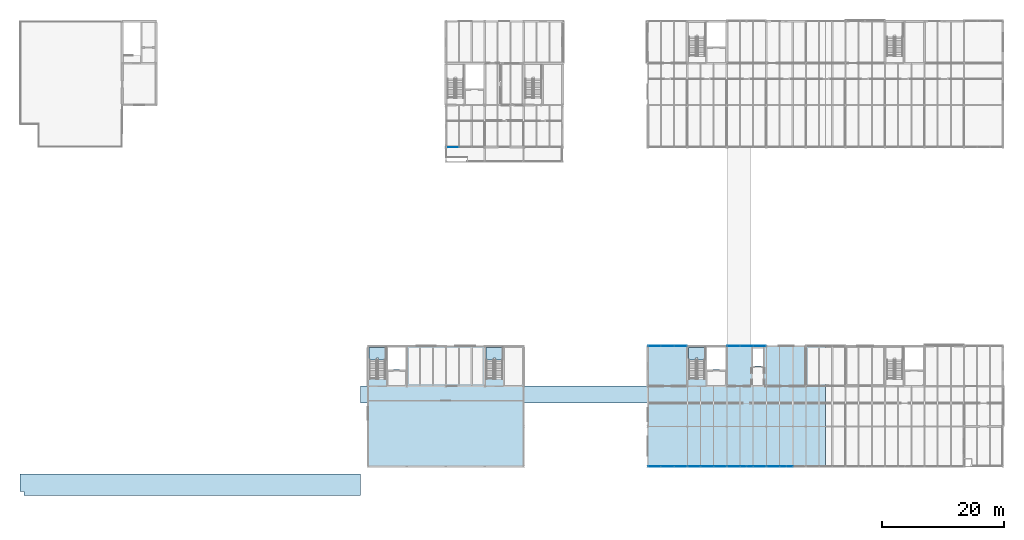
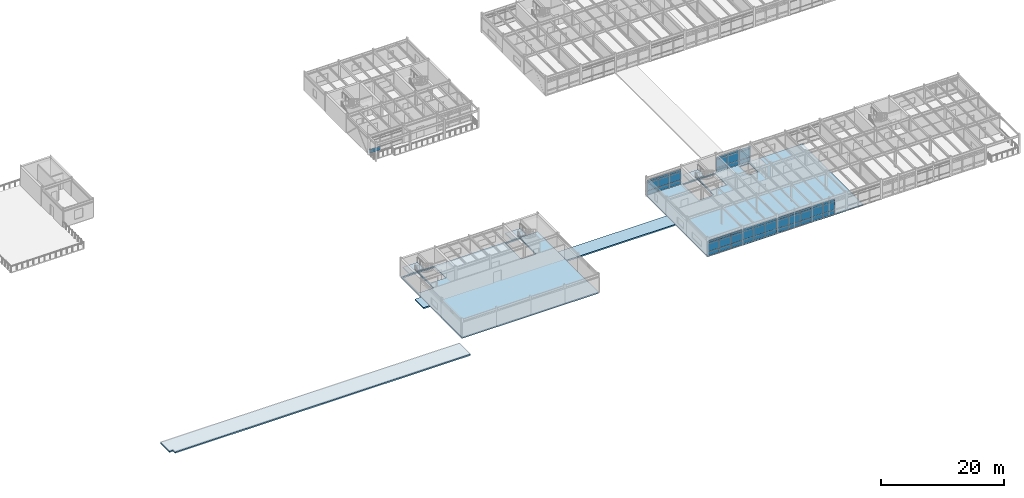
# One storey, part 29 of 49: 52 plates, 8 slabs, 10 elements without a shape of their own.
"""IFC4 building model written with IfcOpenShell, lengths in metres."""

from ifc_helpers import new_model, si_unit, direction, frame, origin, origin_2d, place, context, subcontext, project, spatial, polyline, rectangle, outline, extrude, material, layer, layer_set, type_object, element, aggregate, save


model = new_model("IFC4")

# Units and contexts
model_context = context("Model", 3, precision=1e-05, world=origin(), true_north=direction((0.0, 1.0)))
body_context = subcontext(model_context, "Body", "Model", "MODEL_VIEW")
ifc_project = project(units=[si_unit("LENGTHUNIT", "METRE"), si_unit("AREAUNIT", "SQUARE_METRE"), si_unit("VOLUMEUNIT", "CUBIC_METRE"), si_unit("PLANEANGLEUNIT", "RADIAN"), si_unit("MASSUNIT", "GRAM", prefix="KILO")], contexts=[model_context])

# Site, building, storey
site_placement = place(None, origin())
site = spatial("IfcSite", under=ifc_project, at=site_placement, CompositionType="ELEMENT")
building_placement = place(site_placement, origin())
building = spatial("IfcBuilding", under=site, at=building_placement, Name="Trelmorton Wharf Fire Station", CompositionType="ELEMENT")
storey_placement = place(building_placement, frame((0.0, 0.0, 9.60009765625)))
storey = spatial("IfcBuildingStorey", under=building, at=storey_placement, Name="L02", CompositionType="ELEMENT", Elevation=9.60009765625)

# Curtain wall, plates
ifc_material_1 = material(Name="Anodised aluminium AW-6063", Category="aluminium")
ifc_layer_1 = layer(ifc_material_1, 0.159912109375)
ifc_layer_set_1 = layer_set([ifc_layer_1], Name="Anodised aluminium AW-6063")
curtain_wall_type_1 = type_object("IfcCurtainWallType", Name="CW_CHIC_A", PredefinedType="USERDEFINED", material=ifc_layer_set_1)
curtain_wall_1_placement = place(storey_placement, origin())
curtain_wall_1 = element("IfcCurtainWall", 1, at=curtain_wall_1_placement, inside=storey, type_object=curtain_wall_type_1, Name="CW-V5-L02-049", ObjectType="CHICAGO BAY CURTAIN WALL", PredefinedType="USERDEFINED")
ifc_material_2 = material(Name="Tempered low-E double glazing", Category="glass")
ifc_layer_2 = layer(ifc_material_2, 0.028076171875)
ifc_layer_set_2 = layer_set([ifc_layer_2], Name="Tempered low-E double glazing")
plate_type_1 = type_object("IfcPlateType", Name="CWP_GLAZ_28", PredefinedType="CURTAIN_PANEL", material=ifc_layer_set_2)
plate_1_placement = place(storey_placement, frame((109.3984375, 7.800048828125, 0.06005859375), z_axis=(0.0, 0.0, 1.0), x_axis=(-1.0, 0.0, 0.0)))
plate_1 = element("IfcPlate", 2, at=plate_1_placement, type_object=plate_type_1, Name="CW1 panel 1.1", PredefinedType="CURTAIN_PANEL", context=body_context, shape_type="SweptSolid", body=[
    extrude(rectangle(XDim=2.0732421875, YDim=0.028076171875, at=origin_2d()), origin(), (0.0, 0.0, 1.0), 0.760009765625),
])
plate_2_placement = place(storey_placement, frame((109.3984375, 7.800048828125, 0.8798828125), z_axis=(0.0, 0.0, 1.0), x_axis=(-1.0, 0.0, 0.0)))
plate_2 = element("IfcPlate", 3, at=plate_2_placement, type_object=plate_type_1, Name="CW1 panel 1.2", PredefinedType="CURTAIN_PANEL", context=body_context, shape_type="SweptSolid", body=[
    extrude(rectangle(XDim=2.0732421875, YDim=0.028076171875, at=origin_2d()), origin(), (0.0, 0.0, 1.0), 1.610107421875),
])
plate_3_placement = place(storey_placement, frame((109.3984375, 7.800048828125, 2.5498046875), z_axis=(0.0, 0.0, 1.0), x_axis=(-1.0, 0.0, 0.0)))
plate_3 = element("IfcPlate", 4, at=plate_3_placement, type_object=plate_type_1, Name="CW1 panel 1.3", PredefinedType="CURTAIN_PANEL", context=body_context, shape_type="SweptSolid", body=[
    extrude(rectangle(XDim=2.0732421875, YDim=0.028076171875, at=origin_2d()), origin(), (0.0, 0.0, 1.0), 0.409912109375),
])
plate_4_placement = place(storey_placement, frame((107.25, 7.800048828125, 0.06005859375), z_axis=(0.0, 0.0, 1.0), x_axis=(-1.0, 0.0, 0.0)))
plate_4 = element("IfcPlate", 5, at=plate_4_placement, type_object=plate_type_1, Name="CW1 panel 2.1", PredefinedType="CURTAIN_PANEL", context=body_context, shape_type="SweptSolid", body=[
    extrude(rectangle(XDim=2.103271484375, YDim=0.028076171875, at=origin_2d()), origin(), (0.0, 0.0, 1.0), 0.760009765625),
])
plate_5_placement = place(storey_placement, frame((107.25, 7.800048828125, 0.8798828125), z_axis=(0.0, 0.0, 1.0), x_axis=(-1.0, 0.0, 0.0)))
plate_5 = element("IfcPlate", 6, at=plate_5_placement, type_object=plate_type_1, Name="CW1 panel 2.2", PredefinedType="CURTAIN_PANEL", context=body_context, shape_type="SweptSolid", body=[
    extrude(rectangle(XDim=2.103271484375, YDim=0.028076171875, at=origin_2d()), origin(), (0.0, 0.0, 1.0), 1.610107421875),
])
plate_6_placement = place(storey_placement, frame((107.25, 7.800048828125, 2.5498046875), z_axis=(0.0, 0.0, 1.0), x_axis=(-1.0, 0.0, 0.0)))
plate_6 = element("IfcPlate", 7, at=plate_6_placement, type_object=plate_type_1, Name="CW1 panel 2.3", PredefinedType="CURTAIN_PANEL", context=body_context, shape_type="SweptSolid", body=[
    extrude(rectangle(XDim=2.103271484375, YDim=0.028076171875, at=origin_2d()), origin(), (0.0, 0.0, 1.0), 0.409912109375),
])
plate_7_placement = place(storey_placement, frame((105.1015625, 7.800048828125, 0.06005859375), z_axis=(0.0, 0.0, 1.0), x_axis=(-1.0, 0.0, 0.0)))
plate_7 = element("IfcPlate", 8, at=plate_7_placement, type_object=plate_type_1, Name="CW1 panel 3.1", PredefinedType="CURTAIN_PANEL", context=body_context, shape_type="SweptSolid", body=[
    extrude(rectangle(XDim=2.0732421875, YDim=0.028076171875, at=origin_2d()), origin(), (0.0, 0.0, 1.0), 0.760009765625),
])
plate_8_placement = place(storey_placement, frame((105.1015625, 7.800048828125, 0.8798828125), z_axis=(0.0, 0.0, 1.0), x_axis=(-1.0, 0.0, 0.0)))
plate_8 = element("IfcPlate", 9, at=plate_8_placement, type_object=plate_type_1, Name="CW1 panel 3.2", PredefinedType="CURTAIN_PANEL", context=body_context, shape_type="SweptSolid", body=[
    extrude(rectangle(XDim=2.0732421875, YDim=0.028076171875, at=origin_2d()), origin(), (0.0, 0.0, 1.0), 1.610107421875),
])
plate_9_placement = place(storey_placement, frame((105.1015625, 7.800048828125, 2.5498046875), z_axis=(0.0, 0.0, 1.0), x_axis=(-1.0, 0.0, 0.0)))
plate_9 = element("IfcPlate", 10, at=plate_9_placement, type_object=plate_type_1, Name="CW1 panel 3.3", PredefinedType="CURTAIN_PANEL", context=body_context, shape_type="SweptSolid", body=[
    extrude(rectangle(XDim=2.0732421875, YDim=0.028076171875, at=origin_2d()), origin(), (0.0, 0.0, 1.0), 0.409912109375),
])
aggregate(curtain_wall_1, [plate_1, plate_2, plate_3, plate_4, plate_5, plate_6, plate_7, plate_8, plate_9])

ifc_layer_3 = layer(ifc_material_1, 0.175048828125)
ifc_layer_set_3 = layer_set([ifc_layer_3], Name="Anodised aluminium AW-6063")
curtain_wall_type_2 = type_object("IfcCurtainWallType", Name="CW_CHIC_B", PredefinedType="USERDEFINED", material=ifc_layer_set_3)
curtain_wall_2_placement = place(storey_placement, origin())
curtain_wall_2 = element("IfcCurtainWall", 11, at=curtain_wall_2_placement, inside=storey, type_object=curtain_wall_type_2, Name="CW-V5-L02-050", ObjectType="CHICAGO BAY CURTAIN WALL", PredefinedType="USERDEFINED")
plate_10_placement = place(storey_placement, frame((115.8984375, 7.800048828125, 0.06005859375), z_axis=(0.0, 0.0, 1.0), x_axis=(-1.0, 0.0, 0.0)))
plate_10 = element("IfcPlate", 12, at=plate_10_placement, type_object=plate_type_1, Name="CW2 panel 1.1", PredefinedType="CURTAIN_PANEL", context=body_context, shape_type="SweptSolid", body=[
    extrude(rectangle(XDim=2.0732421875, YDim=0.028076171875, at=origin_2d()), origin(), (0.0, 0.0, 1.0), 0.760009765625),
])
plate_11_placement = place(storey_placement, frame((115.8984375, 7.800048828125, 0.8798828125), z_axis=(0.0, 0.0, 1.0), x_axis=(-1.0, 0.0, 0.0)))
plate_11 = element("IfcPlate", 13, at=plate_11_placement, type_object=plate_type_1, Name="CW2 panel 1.2", PredefinedType="CURTAIN_PANEL", context=body_context, shape_type="SweptSolid", body=[
    extrude(rectangle(XDim=2.0732421875, YDim=0.028076171875, at=origin_2d()), origin(), (0.0, 0.0, 1.0), 1.610107421875),
])
plate_12_placement = place(storey_placement, frame((115.8984375, 7.800048828125, 2.5498046875), z_axis=(0.0, 0.0, 1.0), x_axis=(-1.0, 0.0, 0.0)))
plate_12 = element("IfcPlate", 14, at=plate_12_placement, type_object=plate_type_1, Name="CW2 panel 1.3", PredefinedType="CURTAIN_PANEL", context=body_context, shape_type="SweptSolid", body=[
    extrude(rectangle(XDim=2.0732421875, YDim=0.028076171875, at=origin_2d()), origin(), (0.0, 0.0, 1.0), 0.409912109375),
])
plate_13_placement = place(storey_placement, frame((113.75, 7.800048828125, 0.06005859375), z_axis=(0.0, 0.0, 1.0), x_axis=(-1.0, 0.0, 0.0)))
plate_13 = element("IfcPlate", 15, at=plate_13_placement, type_object=plate_type_1, Name="CW2 panel 2.1", PredefinedType="CURTAIN_PANEL", context=body_context, shape_type="SweptSolid", body=[
    extrude(rectangle(XDim=2.103271484375, YDim=0.028076171875, at=origin_2d()), origin(), (0.0, 0.0, 1.0), 0.760009765625),
])
plate_14_placement = place(storey_placement, frame((113.75, 7.800048828125, 0.8798828125), z_axis=(0.0, 0.0, 1.0), x_axis=(-1.0, 0.0, 0.0)))
plate_14 = element("IfcPlate", 16, at=plate_14_placement, type_object=plate_type_1, Name="CW2 panel 2.2", PredefinedType="CURTAIN_PANEL", context=body_context, shape_type="SweptSolid", body=[
    extrude(rectangle(XDim=2.103271484375, YDim=0.028076171875, at=origin_2d()), origin(), (0.0, 0.0, 1.0), 1.610107421875),
])
plate_15_placement = place(storey_placement, frame((113.75, 7.800048828125, 2.5498046875), z_axis=(0.0, 0.0, 1.0), x_axis=(-1.0, 0.0, 0.0)))
plate_15 = element("IfcPlate", 17, at=plate_15_placement, type_object=plate_type_1, Name="CW2 panel 2.3", PredefinedType="CURTAIN_PANEL", context=body_context, shape_type="SweptSolid", body=[
    extrude(rectangle(XDim=2.103271484375, YDim=0.028076171875, at=origin_2d()), origin(), (0.0, 0.0, 1.0), 0.409912109375),
])
plate_16_placement = place(storey_placement, frame((111.6015625, 7.800048828125, 0.06005859375), z_axis=(0.0, 0.0, 1.0), x_axis=(-1.0, 0.0, 0.0)))
plate_16 = element("IfcPlate", 18, at=plate_16_placement, type_object=plate_type_1, Name="CW2 panel 3.1", PredefinedType="CURTAIN_PANEL", context=body_context, shape_type="SweptSolid", body=[
    extrude(rectangle(XDim=2.0732421875, YDim=0.028076171875, at=origin_2d()), origin(), (0.0, 0.0, 1.0), 0.760009765625),
])
plate_17_placement = place(storey_placement, frame((111.6015625, 7.800048828125, 0.8798828125), z_axis=(0.0, 0.0, 1.0), x_axis=(-1.0, 0.0, 0.0)))
plate_17 = element("IfcPlate", 19, at=plate_17_placement, type_object=plate_type_1, Name="CW2 panel 3.2", PredefinedType="CURTAIN_PANEL", context=body_context, shape_type="SweptSolid", body=[
    extrude(rectangle(XDim=2.0732421875, YDim=0.028076171875, at=origin_2d()), origin(), (0.0, 0.0, 1.0), 1.610107421875),
])
plate_18_placement = place(storey_placement, frame((111.6015625, 7.800048828125, 2.5498046875), z_axis=(0.0, 0.0, 1.0), x_axis=(-1.0, 0.0, 0.0)))
plate_18 = element("IfcPlate", 20, at=plate_18_placement, type_object=plate_type_1, Name="CW2 panel 3.3", PredefinedType="CURTAIN_PANEL", context=body_context, shape_type="SweptSolid", body=[
    extrude(rectangle(XDim=2.0732421875, YDim=0.028076171875, at=origin_2d()), origin(), (0.0, 0.0, 1.0), 0.409912109375),
])
aggregate(curtain_wall_2, [plate_10, plate_11, plate_12, plate_13, plate_14, plate_15, plate_16, plate_17, plate_18])

curtain_wall_3_placement = place(storey_placement, origin())
curtain_wall_3 = element("IfcCurtainWall", 21, at=curtain_wall_3_placement, inside=storey, type_object=curtain_wall_type_2, Name="CW-V5-L02-052", ObjectType="CHICAGO BAY CURTAIN WALL", PredefinedType="USERDEFINED")
plate_19_placement = place(storey_placement, frame((126.75, 7.800048828125, 0.06005859375), z_axis=(0.0, 0.0, 1.0), x_axis=(-1.0, 0.0, 0.0)))
plate_19 = element("IfcPlate", 22, at=plate_19_placement, type_object=plate_type_1, Name="CW2 panel 2.1", PredefinedType="CURTAIN_PANEL", context=body_context, shape_type="SweptSolid", body=[
    extrude(rectangle(XDim=2.103271484375, YDim=0.028076171875, at=origin_2d()), origin(), (0.0, 0.0, 1.0), 0.760009765625),
])
plate_20_placement = place(storey_placement, frame((126.75, 7.800048828125, 0.8798828125), z_axis=(0.0, 0.0, 1.0), x_axis=(-1.0, 0.0, 0.0)))
plate_20 = element("IfcPlate", 23, at=plate_20_placement, type_object=plate_type_1, Name="CW2 panel 2.2", PredefinedType="CURTAIN_PANEL", context=body_context, shape_type="SweptSolid", body=[
    extrude(rectangle(XDim=2.103271484375, YDim=0.028076171875, at=origin_2d()), origin(), (0.0, 0.0, 1.0), 1.610107421875),
])
plate_21_placement = place(storey_placement, frame((126.75, 7.800048828125, 2.5498046875), z_axis=(0.0, 0.0, 1.0), x_axis=(-1.0, 0.0, 0.0)))
plate_21 = element("IfcPlate", 24, at=plate_21_placement, type_object=plate_type_1, Name="CW2 panel 2.3", PredefinedType="CURTAIN_PANEL", context=body_context, shape_type="SweptSolid", body=[
    extrude(rectangle(XDim=2.103271484375, YDim=0.028076171875, at=origin_2d()), origin(), (0.0, 0.0, 1.0), 0.409912109375),
])
plate_22_placement = place(storey_placement, frame((124.6015625, 7.800048828125, 0.06005859375), z_axis=(0.0, 0.0, 1.0), x_axis=(-1.0, 0.0, 0.0)))
plate_22 = element("IfcPlate", 25, at=plate_22_placement, type_object=plate_type_1, Name="CW2 panel 3.1", PredefinedType="CURTAIN_PANEL", context=body_context, shape_type="SweptSolid", body=[
    extrude(rectangle(XDim=2.0732421875, YDim=0.028076171875, at=origin_2d()), origin(), (0.0, 0.0, 1.0), 0.760009765625),
])
plate_23_placement = place(storey_placement, frame((124.6015625, 7.800048828125, 0.8798828125), z_axis=(0.0, 0.0, 1.0), x_axis=(-1.0, 0.0, 0.0)))
plate_23 = element("IfcPlate", 26, at=plate_23_placement, type_object=plate_type_1, Name="CW2 panel 3.2", PredefinedType="CURTAIN_PANEL", context=body_context, shape_type="SweptSolid", body=[
    extrude(rectangle(XDim=2.0732421875, YDim=0.028076171875, at=origin_2d()), origin(), (0.0, 0.0, 1.0), 1.610107421875),
])
plate_24_placement = place(storey_placement, frame((124.6015625, 7.800048828125, 2.5498046875), z_axis=(0.0, 0.0, 1.0), x_axis=(-1.0, 0.0, 0.0)))
plate_24 = element("IfcPlate", 27, at=plate_24_placement, type_object=plate_type_1, Name="CW2 panel 3.3", PredefinedType="CURTAIN_PANEL", context=body_context, shape_type="SweptSolid", body=[
    extrude(rectangle(XDim=2.0732421875, YDim=0.028076171875, at=origin_2d()), origin(), (0.0, 0.0, 1.0), 0.409912109375),
])
aggregate(curtain_wall_3, [plate_19, plate_20, plate_21, plate_22, plate_23, plate_24])

ifc_layer_4 = layer(ifc_material_1, 0.14990234375)
ifc_layer_set_4 = layer_set([ifc_layer_4], Name="Anodised aluminium AW-6063")
curtain_wall_type_3 = type_object("IfcCurtainWallType", Name="CW_UNIT_A", PredefinedType="USERDEFINED", material=ifc_layer_set_4)
curtain_wall_4_placement = place(storey_placement, origin())
curtain_wall_4 = element("IfcCurtainWall", 28, at=curtain_wall_4_placement, inside=storey, type_object=curtain_wall_type_3, Name="CW-V5-L02-058", ObjectType="UNITISED CURTAIN WALL", PredefinedType="USERDEFINED")
plate_25_placement = place(storey_placement, frame((118.1015625, 27.60009765625, 0.06005859375), z_axis=(0.0, 0.0, 1.0), x_axis=(1.0, 0.0, 0.0)))
plate_25 = element("IfcPlate", 29, at=plate_25_placement, type_object=plate_type_1, Name="CW3 panel 1.1", PredefinedType="CURTAIN_PANEL", context=body_context, shape_type="SweptSolid", body=[
    extrude(rectangle(XDim=2.0732421875, YDim=0.028076171875, at=origin_2d()), origin(), (0.0, 0.0, 1.0), 0.760009765625),
])
plate_26_placement = place(storey_placement, frame((118.1015625, 27.60009765625, 0.8798828125), z_axis=(0.0, 0.0, 1.0), x_axis=(1.0, 0.0, 0.0)))
plate_26 = element("IfcPlate", 30, at=plate_26_placement, type_object=plate_type_1, Name="CW3 panel 1.2", PredefinedType="CURTAIN_PANEL", context=body_context, shape_type="SweptSolid", body=[
    extrude(rectangle(XDim=2.0732421875, YDim=0.028076171875, at=origin_2d()), origin(), (0.0, 0.0, 1.0), 1.610107421875),
])
plate_27_placement = place(storey_placement, frame((118.1015625, 27.60009765625, 2.5498046875), z_axis=(0.0, 0.0, 1.0), x_axis=(1.0, 0.0, 0.0)))
plate_27 = element("IfcPlate", 31, at=plate_27_placement, type_object=plate_type_1, Name="CW3 panel 1.3", PredefinedType="CURTAIN_PANEL", context=body_context, shape_type="SweptSolid", body=[
    extrude(rectangle(XDim=2.0732421875, YDim=0.028076171875, at=origin_2d()), origin(), (0.0, 0.0, 1.0), 0.409912109375),
])
plate_28_placement = place(storey_placement, frame((120.25, 27.60009765625, 0.06005859375), z_axis=(0.0, 0.0, 1.0), x_axis=(1.0, 0.0, 0.0)))
plate_28 = element("IfcPlate", 32, at=plate_28_placement, type_object=plate_type_1, Name="CW3 panel 2.1", PredefinedType="CURTAIN_PANEL", context=body_context, shape_type="SweptSolid", body=[
    extrude(rectangle(XDim=2.103271484375, YDim=0.028076171875, at=origin_2d()), origin(), (0.0, 0.0, 1.0), 0.760009765625),
])
plate_29_placement = place(storey_placement, frame((120.25, 27.60009765625, 0.8798828125), z_axis=(0.0, 0.0, 1.0), x_axis=(1.0, 0.0, 0.0)))
plate_29 = element("IfcPlate", 33, at=plate_29_placement, type_object=plate_type_1, Name="CW3 panel 2.2", PredefinedType="CURTAIN_PANEL", context=body_context, shape_type="SweptSolid", body=[
    extrude(rectangle(XDim=2.103271484375, YDim=0.028076171875, at=origin_2d()), origin(), (0.0, 0.0, 1.0), 1.610107421875),
])
plate_30_placement = place(storey_placement, frame((120.25, 27.60009765625, 2.5498046875), z_axis=(0.0, 0.0, 1.0), x_axis=(1.0, 0.0, 0.0)))
plate_30 = element("IfcPlate", 34, at=plate_30_placement, type_object=plate_type_1, Name="CW3 panel 2.3", PredefinedType="CURTAIN_PANEL", context=body_context, shape_type="SweptSolid", body=[
    extrude(rectangle(XDim=2.103271484375, YDim=0.028076171875, at=origin_2d()), origin(), (0.0, 0.0, 1.0), 0.409912109375),
])
plate_31_placement = place(storey_placement, frame((122.3984375, 27.60009765625, 0.06005859375), z_axis=(0.0, 0.0, 1.0), x_axis=(1.0, 0.0, 0.0)))
plate_31 = element("IfcPlate", 35, at=plate_31_placement, type_object=plate_type_1, Name="CW3 panel 3.1", PredefinedType="CURTAIN_PANEL", context=body_context, shape_type="SweptSolid", body=[
    extrude(rectangle(XDim=2.0732421875, YDim=0.028076171875, at=origin_2d()), origin(), (0.0, 0.0, 1.0), 0.760009765625),
])
plate_32_placement = place(storey_placement, frame((122.3984375, 27.60009765625, 0.8798828125), z_axis=(0.0, 0.0, 1.0), x_axis=(1.0, 0.0, 0.0)))
plate_32 = element("IfcPlate", 36, at=plate_32_placement, type_object=plate_type_1, Name="CW3 panel 3.2", PredefinedType="CURTAIN_PANEL", context=body_context, shape_type="SweptSolid", body=[
    extrude(rectangle(XDim=2.0732421875, YDim=0.028076171875, at=origin_2d()), origin(), (0.0, 0.0, 1.0), 1.610107421875),
])
plate_33_placement = place(storey_placement, frame((122.3984375, 27.60009765625, 2.5498046875), z_axis=(0.0, 0.0, 1.0), x_axis=(1.0, 0.0, 0.0)))
plate_33 = element("IfcPlate", 37, at=plate_33_placement, type_object=plate_type_1, Name="CW3 panel 3.3", PredefinedType="CURTAIN_PANEL", context=body_context, shape_type="SweptSolid", body=[
    extrude(rectangle(XDim=2.0732421875, YDim=0.028076171875, at=origin_2d()), origin(), (0.0, 0.0, 1.0), 0.409912109375),
])
aggregate(curtain_wall_4, [plate_25, plate_26, plate_27, plate_28, plate_29, plate_30, plate_31, plate_32, plate_33])

# Curtain wall, plate
curtain_wall_5_placement = place(storey_placement, origin())
curtain_wall_5 = element("IfcCurtainWall", 38, at=curtain_wall_5_placement, inside=storey, type_object=curtain_wall_type_1, Name="CW-V2-L02-101", ObjectType="CHICAGO BAY CURTAIN WALL", PredefinedType="USERDEFINED")
plate_34_placement = place(storey_placement, frame((71.885009765625, 60.300048828125, 0.06005859375), z_axis=(0.0, 0.0, 1.0), x_axis=(-1.0, 0.0, 0.0)))
plate_34 = element("IfcPlate", 39, at=plate_34_placement, type_object=plate_type_1, Name="CW1 panel 3.1", PredefinedType="CURTAIN_PANEL", context=body_context, shape_type="SweptSolid", body=[
    extrude(rectangle(XDim=2.0400390625, YDim=0.028076171875, at=origin_2d()), origin(), (0.0, 0.0, 1.0), 0.760009765625),
])
aggregate(curtain_wall_5, [plate_34])

# Curtain wall, plates
curtain_wall_6_placement = place(storey_placement, origin())
curtain_wall_6 = element("IfcCurtainWall", 40, at=curtain_wall_6_placement, inside=storey, type_object=curtain_wall_type_1, Name="CW-V5-L02-051", ObjectType="CHICAGO BAY CURTAIN WALL", PredefinedType="USERDEFINED")
ifc_layer_5 = layer(ifc_material_2, 0.028076171875)
ifc_layer_set_5 = layer_set([ifc_layer_5], Name="Tempered low-E double glazing")
plate_type_2 = type_object("IfcPlateType", Name="CWP_GLAZ_38", PredefinedType="CURTAIN_PANEL", material=ifc_layer_set_5)
plate_35_placement = place(storey_placement, frame((122.3984375, 7.800048828125, 0.06005859375), z_axis=(0.0, 0.0, 1.0), x_axis=(-1.0, 0.0, 0.0)))
plate_35 = element("IfcPlate", 41, at=plate_35_placement, type_object=plate_type_2, Name="CW1 panel 1.1", PredefinedType="CURTAIN_PANEL", context=body_context, shape_type="SweptSolid", body=[
    extrude(rectangle(XDim=2.0732421875, YDim=0.028076171875, at=origin_2d()), origin(), (0.0, 0.0, 1.0), 0.760009765625),
])
plate_36_placement = place(storey_placement, frame((122.3984375, 7.800048828125, 0.8798828125), z_axis=(0.0, 0.0, 1.0), x_axis=(-1.0, 0.0, 0.0)))
plate_36 = element("IfcPlate", 42, at=plate_36_placement, type_object=plate_type_2, Name="CW1 panel 1.2", PredefinedType="CURTAIN_PANEL", context=body_context, shape_type="SweptSolid", body=[
    extrude(rectangle(XDim=2.0732421875, YDim=0.028076171875, at=origin_2d()), origin(), (0.0, 0.0, 1.0), 1.610107421875),
])
plate_37_placement = place(storey_placement, frame((122.3984375, 7.800048828125, 2.5498046875), z_axis=(0.0, 0.0, 1.0), x_axis=(-1.0, 0.0, 0.0)))
plate_37 = element("IfcPlate", 43, at=plate_37_placement, type_object=plate_type_2, Name="CW1 panel 1.3", PredefinedType="CURTAIN_PANEL", context=body_context, shape_type="SweptSolid", body=[
    extrude(rectangle(XDim=2.0732421875, YDim=0.028076171875, at=origin_2d()), origin(), (0.0, 0.0, 1.0), 0.409912109375),
])
plate_38_placement = place(storey_placement, frame((120.25, 7.800048828125, 0.06005859375), z_axis=(0.0, 0.0, 1.0), x_axis=(-1.0, 0.0, 0.0)))
plate_38 = element("IfcPlate", 44, at=plate_38_placement, type_object=plate_type_2, Name="CW1 panel 2.1", PredefinedType="CURTAIN_PANEL", context=body_context, shape_type="SweptSolid", body=[
    extrude(rectangle(XDim=2.103271484375, YDim=0.028076171875, at=origin_2d()), origin(), (0.0, 0.0, 1.0), 0.760009765625),
])
plate_39_placement = place(storey_placement, frame((120.25, 7.800048828125, 0.8798828125), z_axis=(0.0, 0.0, 1.0), x_axis=(-1.0, 0.0, 0.0)))
plate_39 = element("IfcPlate", 45, at=plate_39_placement, type_object=plate_type_2, Name="CW1 panel 2.2", PredefinedType="CURTAIN_PANEL", context=body_context, shape_type="SweptSolid", body=[
    extrude(rectangle(XDim=2.103271484375, YDim=0.028076171875, at=origin_2d()), origin(), (0.0, 0.0, 1.0), 1.610107421875),
])
plate_40_placement = place(storey_placement, frame((120.25, 7.800048828125, 2.5498046875), z_axis=(0.0, 0.0, 1.0), x_axis=(-1.0, 0.0, 0.0)))
plate_40 = element("IfcPlate", 46, at=plate_40_placement, type_object=plate_type_2, Name="CW1 panel 2.3", PredefinedType="CURTAIN_PANEL", context=body_context, shape_type="SweptSolid", body=[
    extrude(rectangle(XDim=2.103271484375, YDim=0.028076171875, at=origin_2d()), origin(), (0.0, 0.0, 1.0), 0.409912109375),
])
plate_41_placement = place(storey_placement, frame((118.1015625, 7.800048828125, 0.06005859375), z_axis=(0.0, 0.0, 1.0), x_axis=(-1.0, 0.0, 0.0)))
plate_41 = element("IfcPlate", 47, at=plate_41_placement, type_object=plate_type_2, Name="CW1 panel 3.1", PredefinedType="CURTAIN_PANEL", context=body_context, shape_type="SweptSolid", body=[
    extrude(rectangle(XDim=2.0732421875, YDim=0.028076171875, at=origin_2d()), origin(), (0.0, 0.0, 1.0), 0.760009765625),
])
plate_42_placement = place(storey_placement, frame((118.1015625, 7.800048828125, 0.8798828125), z_axis=(0.0, 0.0, 1.0), x_axis=(-1.0, 0.0, 0.0)))
plate_42 = element("IfcPlate", 48, at=plate_42_placement, type_object=plate_type_2, Name="CW1 panel 3.2", PredefinedType="CURTAIN_PANEL", context=body_context, shape_type="SweptSolid", body=[
    extrude(rectangle(XDim=2.0732421875, YDim=0.028076171875, at=origin_2d()), origin(), (0.0, 0.0, 1.0), 1.610107421875),
])
plate_43_placement = place(storey_placement, frame((118.1015625, 7.800048828125, 2.5498046875), z_axis=(0.0, 0.0, 1.0), x_axis=(-1.0, 0.0, 0.0)))
plate_43 = element("IfcPlate", 49, at=plate_43_placement, type_object=plate_type_2, Name="CW1 panel 3.3", PredefinedType="CURTAIN_PANEL", context=body_context, shape_type="SweptSolid", body=[
    extrude(rectangle(XDim=2.0732421875, YDim=0.028076171875, at=origin_2d()), origin(), (0.0, 0.0, 1.0), 0.409912109375),
])
aggregate(curtain_wall_6, [plate_35, plate_36, plate_37, plate_38, plate_39, plate_40, plate_41, plate_42, plate_43])

curtain_wall_7_placement = place(storey_placement, origin())
curtain_wall_7 = element("IfcCurtainWall", 50, at=curtain_wall_7_placement, inside=storey, type_object=curtain_wall_type_3, Name="CW-V5-L02-057", ObjectType="UNITISED CURTAIN WALL", PredefinedType="USERDEFINED")
plate_44_placement = place(storey_placement, frame((105.1015625, 27.60009765625, 0.06005859375), z_axis=(0.0, 0.0, 1.0), x_axis=(1.0, 0.0, 0.0)))
plate_44 = element("IfcPlate", 51, at=plate_44_placement, type_object=plate_type_2, Name="CW3 panel 1.1", PredefinedType="CURTAIN_PANEL", context=body_context, shape_type="SweptSolid", body=[
    extrude(rectangle(XDim=2.0732421875, YDim=0.028076171875, at=origin_2d()), origin(), (0.0, 0.0, 1.0), 0.760009765625),
])
plate_45_placement = place(storey_placement, frame((105.1015625, 27.60009765625, 0.8798828125), z_axis=(0.0, 0.0, 1.0), x_axis=(1.0, 0.0, 0.0)))
plate_45 = element("IfcPlate", 52, at=plate_45_placement, type_object=plate_type_2, Name="CW3 panel 1.2", PredefinedType="CURTAIN_PANEL", context=body_context, shape_type="SweptSolid", body=[
    extrude(rectangle(XDim=2.0732421875, YDim=0.028076171875, at=origin_2d()), origin(), (0.0, 0.0, 1.0), 1.610107421875),
])
plate_46_placement = place(storey_placement, frame((105.1015625, 27.60009765625, 2.5498046875), z_axis=(0.0, 0.0, 1.0), x_axis=(1.0, 0.0, 0.0)))
plate_46 = element("IfcPlate", 53, at=plate_46_placement, type_object=plate_type_2, Name="CW3 panel 1.3", PredefinedType="CURTAIN_PANEL", context=body_context, shape_type="SweptSolid", body=[
    extrude(rectangle(XDim=2.0732421875, YDim=0.028076171875, at=origin_2d()), origin(), (0.0, 0.0, 1.0), 0.409912109375),
])
plate_47_placement = place(storey_placement, frame((107.25, 27.60009765625, 0.06005859375), z_axis=(0.0, 0.0, 1.0), x_axis=(1.0, 0.0, 0.0)))
plate_47 = element("IfcPlate", 54, at=plate_47_placement, type_object=plate_type_2, Name="CW3 panel 2.1", PredefinedType="CURTAIN_PANEL", context=body_context, shape_type="SweptSolid", body=[
    extrude(rectangle(XDim=2.103271484375, YDim=0.028076171875, at=origin_2d()), origin(), (0.0, 0.0, 1.0), 0.760009765625),
])
plate_48_placement = place(storey_placement, frame((107.25, 27.60009765625, 0.8798828125), z_axis=(0.0, 0.0, 1.0), x_axis=(1.0, 0.0, 0.0)))
plate_48 = element("IfcPlate", 55, at=plate_48_placement, type_object=plate_type_2, Name="CW3 panel 2.2", PredefinedType="CURTAIN_PANEL", context=body_context, shape_type="SweptSolid", body=[
    extrude(rectangle(XDim=2.103271484375, YDim=0.028076171875, at=origin_2d()), origin(), (0.0, 0.0, 1.0), 1.610107421875),
])
plate_49_placement = place(storey_placement, frame((107.25, 27.60009765625, 2.5498046875), z_axis=(0.0, 0.0, 1.0), x_axis=(1.0, 0.0, 0.0)))
plate_49 = element("IfcPlate", 56, at=plate_49_placement, type_object=plate_type_2, Name="CW3 panel 2.3", PredefinedType="CURTAIN_PANEL", context=body_context, shape_type="SweptSolid", body=[
    extrude(rectangle(XDim=2.103271484375, YDim=0.028076171875, at=origin_2d()), origin(), (0.0, 0.0, 1.0), 0.409912109375),
])
plate_50_placement = place(storey_placement, frame((109.3984375, 27.60009765625, 0.06005859375), z_axis=(0.0, 0.0, 1.0), x_axis=(1.0, 0.0, 0.0)))
plate_50 = element("IfcPlate", 57, at=plate_50_placement, type_object=plate_type_2, Name="CW3 panel 3.1", PredefinedType="CURTAIN_PANEL", context=body_context, shape_type="SweptSolid", body=[
    extrude(rectangle(XDim=2.0732421875, YDim=0.028076171875, at=origin_2d()), origin(), (0.0, 0.0, 1.0), 0.760009765625),
])
plate_51_placement = place(storey_placement, frame((109.3984375, 27.60009765625, 0.8798828125), z_axis=(0.0, 0.0, 1.0), x_axis=(1.0, 0.0, 0.0)))
plate_51 = element("IfcPlate", 58, at=plate_51_placement, type_object=plate_type_2, Name="CW3 panel 3.2", PredefinedType="CURTAIN_PANEL", context=body_context, shape_type="SweptSolid", body=[
    extrude(rectangle(XDim=2.0732421875, YDim=0.028076171875, at=origin_2d()), origin(), (0.0, 0.0, 1.0), 1.610107421875),
])
plate_52_placement = place(storey_placement, frame((109.3984375, 27.60009765625, 2.5498046875), z_axis=(0.0, 0.0, 1.0), x_axis=(1.0, 0.0, 0.0)))
plate_52 = element("IfcPlate", 59, at=plate_52_placement, type_object=plate_type_2, Name="CW3 panel 3.3", PredefinedType="CURTAIN_PANEL", context=body_context, shape_type="SweptSolid", body=[
    extrude(rectangle(XDim=2.0732421875, YDim=0.028076171875, at=origin_2d()), origin(), (0.0, 0.0, 1.0), 0.409912109375),
])
aggregate(curtain_wall_7, [plate_44, plate_45, plate_46, plate_47, plate_48, plate_49, plate_50, plate_51, plate_52])

# Slabs
ifc_material_3 = material(Name="Concrete 40 MPa", Category="concrete")
ifc_layer_6 = layer(ifc_material_3, 0.199951171875)
ifc_layer_set_6 = layer_set([ifc_layer_6], Name="Concrete 40 MPa")
slab_type_1 = type_object("IfcSlabType", Name="SL_FLOOR_200", PredefinedType="FLOOR", material=ifc_layer_set_6)
slab_1_placement = place(storey_placement, frame((0.0, 0.0, -0.2001953125)))
element("IfcSlab", 60, at=slab_1_placement, inside=storey, type_object=slab_type_1, Name="SL-V5-L02-019", PredefinedType="FLOOR", context=body_context, shape_type="SweptSolid", body=[
    extrude(outline(polyline([(104.0, 7.800048828125), (104.0, 27.60009765625), (133.199951171875, 27.60009765625), (133.199951171875, 7.800048828125), (104.0, 7.800048828125)]), holes=[polyline([(110.719970703125, 27.3798828125), (110.719970703125, 22.239990234375), (113.510009765625, 22.239990234375), (113.510009765625, 27.3798828125), (110.719970703125, 27.3798828125)]), polyline([(116.780029296875, 27.3798828125), (113.739990234375, 27.3798828125), (113.739990234375, 23.719970703125), (116.780029296875, 23.719970703125), (116.780029296875, 27.3798828125)]), polyline([(123.02001953125, 24.31005859375), (123.02001953125, 27.22998046875), (121.219970703125, 27.22998046875), (121.219970703125, 24.31005859375), (123.02001953125, 24.31005859375)])]), origin(), (0.0, 0.0, 1.0), 0.2001953125),
])
ifc_layer_7 = layer(ifc_material_3, 0.239990234375)
ifc_layer_set_7 = layer_set([ifc_layer_7], Name="Concrete 40 MPa")
slab_type_2 = type_object("IfcSlabType", Name="SL_FLOOR_240", PredefinedType="FLOOR", material=ifc_layer_set_7)
slab_2_placement = place(storey_placement, frame((0.0, 0.0, -0.239990234375)))
element("IfcSlab", 61, at=slab_2_placement, inside=storey, type_object=slab_type_2, Name="SL-V3-L02-011", PredefinedType="FLOOR", context=body_context, shape_type="SweptSolid", body=[
    extrude(outline(polyline([(83.60009765625, 27.60009765625), (83.60009765625, 7.800048828125), (58.0, 7.800048828125), (58.0, 27.60009765625), (83.60009765625, 27.60009765625)]), holes=[polyline([(58.219970703125, 22.239990234375), (61.010009765625, 22.239990234375), (61.010009765625, 27.3798828125), (58.219970703125, 27.3798828125), (58.219970703125, 22.239990234375)]), polyline([(61.239990234375, 27.3798828125), (61.239990234375, 23.719970703125), (64.179931640625, 23.719970703125), (64.179931640625, 27.3798828125), (61.239990234375, 27.3798828125)]), polyline([(80.2099609375, 27.3798828125), (77.419921875, 27.3798828125), (77.419921875, 22.239990234375), (80.2099609375, 22.239990234375), (80.2099609375, 27.3798828125)])]), origin(), (0.0, 0.0, 1.0), 0.239990234375),
])

# Stair, slab
ifc_material_4 = material(Name="Precast concrete 45 MPa", Category="concrete")
stair_type = type_object("IfcStairType", Name="ST_TWO_390", PredefinedType="TWO_STRAIGHT_RUN_STAIR", material=ifc_material_4)
stair_1_placement = place(storey_placement, origin())
stair_1 = element("IfcStair", 62, at=stair_1_placement, inside=storey, type_object=stair_type, Name="Escape Stair ST2-L02", PredefinedType="TWO_STRAIGHT_RUN_STAIR")
ifc_layer_8 = layer(ifc_material_4, 0.199951171875)
ifc_layer_set_8 = layer_set([ifc_layer_8], Name="Precast concrete 45 MPa")
slab_type_3 = type_object("IfcSlabType", Name="SL_LAND_180", PredefinedType="LANDING", material=ifc_layer_set_8)
slab_3_placement = place(storey_placement, frame((0.0, 0.0, 1.75)))
slab_3 = element("IfcSlab", 63, at=slab_3_placement, type_object=slab_type_3, Name="ST2-L02 landing 1", PredefinedType="LANDING", context=body_context, shape_type="SweptSolid", body=[
    extrude(outline(polyline([(58.205078125, 25.330078125), (59.4599609375, 25.330078125), (59.4599609375, 25.75), (59.659912109375, 25.75), (59.659912109375, 25.330078125), (61.0048828125, 25.330078125), (61.0048828125, 27.39501953125), (58.205078125, 27.39501953125), (58.205078125, 25.330078125)])), origin(), (0.0, 0.0, 1.0), 0.199951171875),
])
aggregate(stair_1, [slab_3])

stair_2_placement = place(storey_placement, origin())
stair_2 = element("IfcStair", 64, at=stair_2_placement, inside=storey, type_object=stair_type, Name="Escape Stair ST3-L02", PredefinedType="TWO_STRAIGHT_RUN_STAIR")
slab_4_placement = place(storey_placement, frame((0.0, 0.0, 1.75)))
slab_4 = element("IfcSlab", 65, at=slab_4_placement, type_object=slab_type_3, Name="ST3-L02 landing 1", PredefinedType="LANDING", context=body_context, shape_type="SweptSolid", body=[
    extrude(outline(polyline([(77.405029296875, 25.330078125), (78.699951171875, 25.330078125), (78.699951171875, 25.75), (78.89990234375, 25.75), (78.89990234375, 25.330078125), (80.205078125, 25.330078125), (80.205078125, 27.39501953125), (77.405029296875, 27.39501953125), (77.405029296875, 25.330078125)])), origin(), (0.0, 0.0, 1.0), 0.199951171875),
])
aggregate(stair_2, [slab_4])

stair_3_placement = place(storey_placement, origin())
stair_3 = element("IfcStair", 66, at=stair_3_placement, inside=storey, type_object=stair_type, Name="Escape Stair ST4-L02", PredefinedType="TWO_STRAIGHT_RUN_STAIR")
slab_5_placement = place(storey_placement, frame((0.0, 0.0, 1.75)))
slab_5 = element("IfcSlab", 67, at=slab_5_placement, type_object=slab_type_3, Name="ST4-L02 landing 1", PredefinedType="LANDING", context=body_context, shape_type="SweptSolid", body=[
    extrude(outline(polyline([(110.705078125, 25.330078125), (111.9599609375, 25.330078125), (111.9599609375, 25.75), (112.159912109375, 25.75), (112.159912109375, 25.330078125), (113.5048828125, 25.330078125), (113.5048828125, 27.39501953125), (110.705078125, 27.39501953125), (110.705078125, 25.330078125)])), origin(), (0.0, 0.0, 1.0), 0.199951171875),
])
aggregate(stair_3, [slab_5])

# Slabs
ifc_layer_9 = layer(ifc_material_3, 0.27001953125)
ifc_layer_set_9 = layer_set([ifc_layer_9], Name="Concrete 40 MPa")
slab_type_4 = type_object("IfcSlabType", Name="SL_ROOF_FLAT_190", PredefinedType="ROOF", material=ifc_layer_set_9)
slab_6_placement = place(storey_placement, frame((0.0, 0.0, -0.27001953125)))
element("IfcSlab", 68, at=slab_6_placement, inside=storey, type_object=slab_type_4, Name="SL-BR1-RF", PredefinedType="ROOF", context=body_context, shape_type="SweptSolid", body=[
    extrude(outline(polyline([(58.0, 18.199951171875), (58.0, 21.0), (56.800048828125, 21.0), (56.800048828125, 18.199951171875), (58.0, 18.199951171875)])), origin(), (0.0, 0.0, 1.0), 0.27001953125),
])
slab_7_placement = place(storey_placement, frame((0.0, 0.0, -0.27001953125)))
element("IfcSlab", 69, at=slab_7_placement, inside=storey, type_object=slab_type_4, Name="SL-BR2-RF", PredefinedType="ROOF", context=body_context, shape_type="SweptSolid", body=[
    extrude(outline(polyline([(104.0, 18.199951171875), (104.0, 21.0), (83.60009765625, 21.0), (83.60009765625, 18.199951171875), (104.0, 18.199951171875)])), origin(), (0.0, 0.0, 1.0), 0.27001953125),
])
slab_8_placement = place(storey_placement, frame((0.0, 0.0, -0.27001953125)))
element("IfcSlab", 70, at=slab_8_placement, inside=storey, type_object=slab_type_4, Name="SL-ROOF-V1-LOGGIA-ROOF", PredefinedType="ROOF", context=body_context, shape_type="SweptSolid", body=[
    extrude(outline(polyline([(0.800048828125, 6.550048828125), (56.800048828125, 6.550048828125), (56.800048828125, 3.0), (1.449951171875, 3.0), (1.449951171875, 3.64990234375), (0.800048828125, 3.64990234375), (0.800048828125, 6.550048828125)])), origin(), (0.0, 0.0, 1.0), 0.27001953125),
])

save(model, "model.ifc")
